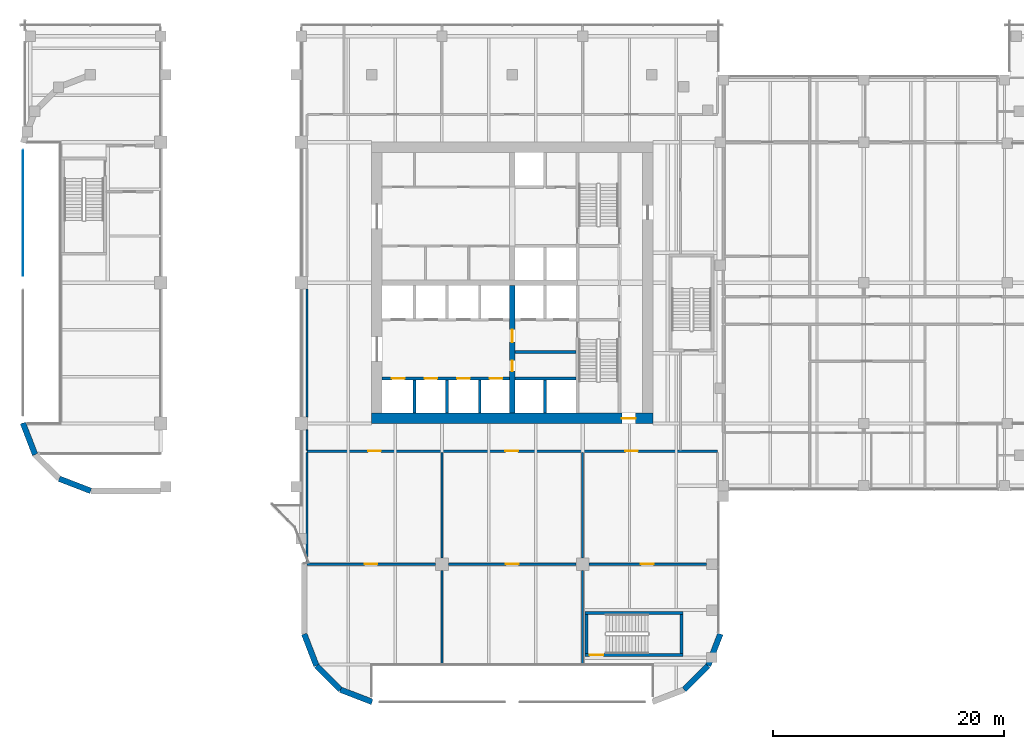
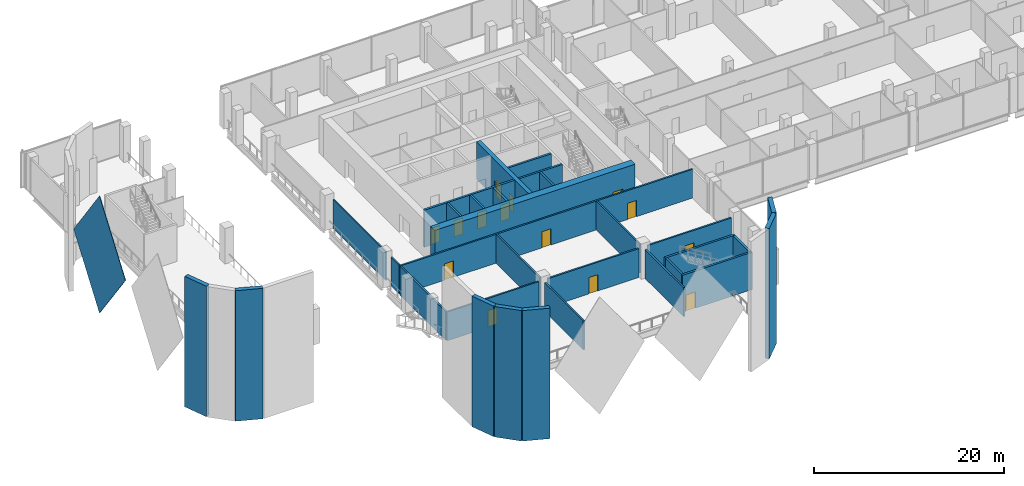
# One storey, part 22 of 33: 31 walls, 14 doors, 1 plate, 14 openings.
"""IFC4 building model written with IfcOpenShell, lengths in metres."""

from ifc_helpers import new_model, si_unit, direction, frame, frame_2d, origin, place, context, subcontext, project, spatial, rectangle, extrude, faceted_brep, source, transform, mapped, material, layer, layer_set, type_object, element, fill, save


model = new_model("IFC4")

# Units and contexts
model_context = context("Model", 3, precision=1e-05, world=origin(), true_north=direction((0.0, 1.0)))
body_context = subcontext(model_context, "Body", "Model", "MODEL_VIEW")
ifc_project = project(units=[si_unit("LENGTHUNIT", "METRE"), si_unit("AREAUNIT", "SQUARE_METRE"), si_unit("VOLUMEUNIT", "CUBIC_METRE"), si_unit("PLANEANGLEUNIT", "RADIAN"), si_unit("MASSUNIT", "GRAM", prefix="KILO")], contexts=[model_context])

# Site, building, storey
site_placement = place(None, origin())
site = spatial("IfcSite", under=ifc_project, at=site_placement, CompositionType="ELEMENT")
building_placement = place(site_placement, origin())
building = spatial("IfcBuilding", under=site, at=building_placement, Name="Tessera Gate Towers", CompositionType="ELEMENT")
storey_placement = place(building_placement, frame((0.0, 0.0, 7.199951171875)))
storey = spatial("IfcBuildingStorey", under=building, at=storey_placement, Name="L01", CompositionType="ELEMENT", Elevation=7.199951171875)

# Plate
ifc_material_1 = material(Name="Low-e laminated glass", Category="glass")
ifc_layer_1 = layer(ifc_material_1, 0.06005859375)
ifc_layer_set_1 = layer_set([ifc_layer_1], Name="PL2 rhombic pane")
plate_type = type_object("IfcPlateType", Name="PL2 rhombic pane", PredefinedType="SHEET", material=ifc_layer_set_1)
shared_shape_1 = source(origin(), body_context, "Body", "Brep", [
    faceted_brep([(5.440185546875, -0.030029296875, 0.0), (10.922119140625, -0.030029296875, 7.548828125), (10.922119140625, -0.030029296875, 7.54931640625), (5.440185546875, -0.030029296875, 15.09814453125), (0.0, -0.030029296875, 7.549072265625), (0.0, 0.030029296875, 7.549072265625), (5.440185546875, 0.030029296875, 15.09814453125), (10.922119140625, 0.030029296875, 7.54931640625), (10.922119140625, 0.030029296875, 7.548828125), (5.440185546875, 0.030029296875, 0.0)], [[[0, 1, 2, 3, 4]], [[5, 6, 7, 8, 9]], [[9, 8, 1, 0]], [[7, 6, 3, 2]], [[6, 5, 4, 3]], [[5, 9, 0, 4]], [[1, 8, 7, 2]]]),
])
plate_placement = place(storey_placement, frame((0.25, 48.14013671875, -6.34912109375), z_axis=(0.0, 0.0, 1.0), x_axis=(0.0, -1.0, 0.0)))
element("IfcPlate", 1, at=plate_placement, inside=storey, type_object=plate_type, Name="Glass pane T1 PL2-2117", PredefinedType="SHEET", context=body_context, shape_type="MappedRepresentation", body=[
    mapped(shared_shape_1, transform((0.0, 0.0, 0.0), scale=1.0)),
])

# Wall, openings, doors
ifc_material_2 = material(Name="Concrete C40/50", Category="concrete")
ifc_layer_2 = layer(ifc_material_2, 0.25)
ifc_layer_set_2 = layer_set([ifc_layer_2], Name="CORE ENCLOSURE WALL 250")
wall_type_1 = type_object("IfcWallType", Name="CORE ENCLOSURE WALL 250", PredefinedType="SOLIDWALL", material=ifc_layer_set_2)
wall_1_placement = place(storey_placement, frame((31.39990234375, 28.300048828125, 0.0), z_axis=(0.0, 0.0, 1.0), x_axis=(1.0, 0.0, 0.0)))
wall_1 = element("IfcWall", 2, at=wall_1_placement, inside=storey, type_object=wall_type_1, Name="L01 shaft and stair enclosure wall", PredefinedType="SOLIDWALL", context=body_context, shape_type="SweptSolid", body=[
    extrude(rectangle(XDim=11.050048828125, YDim=0.25, at=frame_2d((5.52490234375, 0.0))), origin(), (0.0, 0.0, 1.0), 4.800048828125),
])
shared_shape_2 = source(origin(), body_context, "Body", "SweptSolid", [
    extrude(rectangle(XDim=1.10009765625, YDim=2.10009765625, at=frame_2d((0.550048828125, 1.050048828125))), frame((0.0, 0.135009765625, 0.0), z_axis=(0.0, -1.0, 0.0), x_axis=(1.0, 0.0, 0.0)), (0.0, 0.0, 1.0), 0.27001953125),
])
opening_1_placement = place(wall_1_placement, frame((0.862548828125, 0.0, 0.0)))
opening_1 = element("IfcOpeningElement", 3, at=opening_1_placement, cuts=wall_1, Name="Opening LD-LR1", PredefinedType="OPENING", context=body_context, shape_type="MappedRepresentation", body=[
    mapped(shared_shape_2, transform((0.0, 0.0, 0.0), scale=1.0)),
])
opening_2_placement = place(wall_1_placement, frame((3.6875, 0.0, 0.0)))
opening_2 = element("IfcOpeningElement", 4, at=opening_2_placement, cuts=wall_1, Name="Opening LD-LR2", PredefinedType="OPENING", context=body_context, shape_type="MappedRepresentation", body=[
    mapped(shared_shape_2, transform((0.0, 0.0, 0.0), scale=1.0)),
])
opening_3_placement = place(wall_1_placement, frame((6.512451171875, 0.0, 0.0)))
opening_3 = element("IfcOpeningElement", 5, at=opening_3_placement, cuts=wall_1, Name="Opening LD-LR3", PredefinedType="OPENING", context=body_context, shape_type="MappedRepresentation", body=[
    mapped(shared_shape_2, transform((0.0, 0.0, 0.0), scale=1.0)),
])
opening_4_placement = place(wall_1_placement, frame((9.33740234375, 0.0, 0.0)))
opening_4 = element("IfcOpeningElement", 6, at=opening_4_placement, cuts=wall_1, Name="Opening LD-LR4", PredefinedType="OPENING", context=body_context, shape_type="MappedRepresentation", body=[
    mapped(shared_shape_2, transform((0.0, 0.0, 0.0), scale=1.0)),
])
ifc_material_3 = material(Name="Stainless steel", Category="steel")
door_type_1 = type_object("IfcDoorType", Name="CORE DOOR LD 1100x2100", OperationType="DOUBLE_DOOR_SLIDING", PredefinedType="DOOR", material=ifc_material_3)
shared_shape_3 = source(origin(), body_context, "Body", "SweptSolid", [
    extrude(rectangle(XDim=1.10009765625, YDim=2.10009765625, at=frame_2d((0.550048828125, 1.050048828125))), frame((0.0, 0.02490234375, 0.0), z_axis=(0.0, -1.0, 0.0), x_axis=(1.0, 0.0, 0.0)), (0.0, 0.0, 1.0), 0.050048828125),
])
door_1_placement = place(opening_1_placement, origin())
door_1 = element("IfcDoor", 7, at=door_1_placement, inside=storey, type_object=door_type_1, Name="Landing door LR1 L01", OperationType="DOUBLE_DOOR_SLIDING", OverallHeight=2.10009765625, OverallWidth=1.10009765625, PredefinedType="DOOR", context=body_context, shape_type="MappedRepresentation", body=[
    mapped(shared_shape_3, transform((0.0, 0.0, 0.0), scale=1.0)),
])
fill(opening_1, door_1)
door_2_placement = place(opening_2_placement, origin())
door_2 = element("IfcDoor", 8, at=door_2_placement, inside=storey, type_object=door_type_1, Name="Landing door LR2 L01", OperationType="DOUBLE_DOOR_SLIDING", OverallHeight=2.10009765625, OverallWidth=1.10009765625, PredefinedType="DOOR", context=body_context, shape_type="MappedRepresentation", body=[
    mapped(shared_shape_3, transform((0.0, 0.0, 0.0), scale=1.0)),
])
fill(opening_2, door_2)
door_3_placement = place(opening_3_placement, origin())
door_3 = element("IfcDoor", 9, at=door_3_placement, inside=storey, type_object=door_type_1, Name="Landing door LR3 L01", OperationType="DOUBLE_DOOR_SLIDING", OverallHeight=2.10009765625, OverallWidth=1.10009765625, PredefinedType="DOOR", context=body_context, shape_type="MappedRepresentation", body=[
    mapped(shared_shape_3, transform((0.0, 0.0, 0.0), scale=1.0)),
])
fill(opening_3, door_3)
door_4_placement = place(opening_4_placement, origin())
door_4 = element("IfcDoor", 10, at=door_4_placement, inside=storey, type_object=door_type_1, Name="Landing door LR4 L01", OperationType="DOUBLE_DOOR_SLIDING", OverallHeight=2.10009765625, OverallWidth=1.10009765625, PredefinedType="DOOR", context=body_context, shape_type="MappedRepresentation", body=[
    mapped(shared_shape_3, transform((0.0, 0.0, 0.0), scale=1.0)),
])
fill(opening_4, door_4)

# Walls
for number, where, z_axis, x_axis, name in (
    (11, (42.949951171875, 28.300048828125, 0.0), (0.0, 0.0, 1.0), (1.0, 0.0, 0.0), "L01 shaft and stair enclosure wall"),
    (12, (42.949951171875, 30.60009765625, 0.0), (0.0, 0.0, 1.0), (1.0, 0.0, 0.0), "L01 shaft and stair enclosure wall"),
):
    element("IfcWall", number, at=place(storey_placement, frame(where, z_axis=z_axis, x_axis=x_axis)), inside=storey, type_object=wall_type_1, Name=name, PredefinedType="SOLIDWALL", context=body_context, shape_type="SweptSolid", body=[
        extrude(rectangle(XDim=5.275146484375, YDim=0.25, at=frame_2d((2.6376953125, 0.0))), origin(), (0.0, 0.0, 1.0), 4.800048828125),
    ])
for number, where, z_axis, x_axis, name in (
    (13, (34.22509765625, 25.300048828125, 0.0), (0.0, 0.0, 1.0), (0.0, 1.0, 0.0), "L01 shaft and stair enclosure wall"),
    (14, (37.050048828125, 25.300048828125, 0.0), (0.0, 0.0, 1.0), (0.0, 1.0, 0.0), "L01 shaft and stair enclosure wall"),
    (15, (39.875, 25.300048828125, 0.0), (0.0, 0.0, 1.0), (0.0, 1.0, 0.0), "L01 shaft and stair enclosure wall"),
    (16, (45.52490234375, 25.300048828125, 0.0), (0.0, 0.0, 1.0), (0.0, 1.0, 0.0), "L01 shaft and stair enclosure wall"),
):
    element("IfcWall", number, at=place(storey_placement, frame(where, z_axis=z_axis, x_axis=x_axis)), inside=storey, type_object=wall_type_1, Name=name, PredefinedType="SOLIDWALL", context=body_context, shape_type="SweptSolid", body=[
        extrude(rectangle(XDim=2.875, YDim=0.25, at=frame_2d((1.4375, 0.0))), origin(), (0.0, 0.0, 1.0), 4.800048828125),
    ])

# Wall, opening, door
wall_2_placement = place(storey_placement, frame((57.5, 4.324951171875, 0.0), z_axis=(0.0, 0.0, 1.0), x_axis=(-1.0, 0.0, 0.0)))
wall_2 = element("IfcWall", 17, at=wall_2_placement, inside=storey, type_object=wall_type_1, Name="L01 ST4 enclosure wall", PredefinedType="SOLIDWALL", context=body_context, shape_type="SweptSolid", body=[
    extrude(rectangle(XDim=8.5, YDim=0.25, at=frame_2d((4.25, 0.0))), origin(), (0.0, 0.0, 1.0), 4.800048828125),
])
shared_shape_4 = source(origin(), body_context, "Body", "SweptSolid", [
    extrude(rectangle(XDim=1.199951171875, YDim=2.10009765625, at=frame_2d((0.60009765625, 1.050048828125))), frame((0.0, 0.135009765625, 0.0), z_axis=(0.0, -1.0, 0.0), x_axis=(1.0, 0.0, 0.0)), (0.0, 0.0, 1.0), 0.27001953125),
])
opening_5_placement = place(wall_2_placement, frame((6.89990234375, 0.0, 0.0)))
opening_5 = element("IfcOpeningElement", 18, at=opening_5_placement, cuts=wall_2, Name="Opening SD-ST4-1", PredefinedType="OPENING", context=body_context, shape_type="MappedRepresentation", body=[
    mapped(shared_shape_4, transform((0.0, 0.0, 0.0), scale=1.0)),
])
ifc_material_4 = material(Name="Hollow steel fire door", Category="steel")
door_type_2 = type_object("IfcDoorType", Name="CORE DOOR SD 1200x2100", OperationType="NOTDEFINED", PredefinedType="DOOR", material=ifc_material_4)
shared_shape_5 = source(origin(), body_context, "Body", "SweptSolid", [
    extrude(rectangle(XDim=1.199951171875, YDim=2.10009765625, at=frame_2d((0.60009765625, 1.050048828125))), frame((0.0, 0.02490234375, 0.0), z_axis=(0.0, -1.0, 0.0), x_axis=(1.0, 0.0, 0.0)), (0.0, 0.0, 1.0), 0.050048828125),
])
door_5_placement = place(opening_5_placement, origin())
door_5 = element("IfcDoor", 19, at=door_5_placement, inside=storey, type_object=door_type_2, Name="Stair door", OperationType="SINGLE_SWING_RIGHT", OverallHeight=2.10009765625, OverallWidth=1.199951171875, PredefinedType="DOOR", context=body_context, shape_type="MappedRepresentation", body=[
    mapped(shared_shape_5, transform((0.0, 0.0, 0.0), scale=1.0)),
])
fill(opening_5, door_5)

# Walls
wall_3_placement = place(storey_placement, frame((49.125, 4.449951171875, 0.0), z_axis=(0.0, 0.0, 1.0), x_axis=(0.0, 1.0, 0.0)))
element("IfcWall", 20, at=wall_3_placement, inside=storey, type_object=wall_type_1, Name="L01 ST4 enclosure wall", PredefinedType="SOLIDWALL", context=body_context, shape_type="SweptSolid", body=[
    extrude(rectangle(XDim=3.400146484375, YDim=0.25, at=frame_2d((1.7001953125, 0.0))), origin(), (0.0, 0.0, 1.0), 4.800048828125),
])
wall_4_placement = place(storey_placement, frame((49.0, 7.97509765625, 0.0), z_axis=(0.0, 0.0, 1.0), x_axis=(1.0, 0.0, 0.0)))
element("IfcWall", 21, at=wall_4_placement, inside=storey, type_object=wall_type_1, Name="L01 ST4 enclosure wall", PredefinedType="SOLIDWALL", context=body_context, shape_type="SweptSolid", body=[
    extrude(rectangle(XDim=8.5, YDim=0.25, at=frame_2d((4.25, 0.0))), origin(), (0.0, 0.0, 1.0), 4.800048828125),
])
wall_5_placement = place(storey_placement, frame((57.375, 7.85009765625, 0.0), z_axis=(0.0, 0.0, 1.0), x_axis=(0.0, -1.0, 0.0)))
element("IfcWall", 22, at=wall_5_placement, inside=storey, type_object=wall_type_1, Name="L01 ST4 enclosure wall", PredefinedType="SOLIDWALL", context=body_context, shape_type="SweptSolid", body=[
    extrude(rectangle(XDim=3.400146484375, YDim=0.25, at=frame_2d((1.7001953125, 0.0))), origin(), (0.0, 0.0, 1.0), 4.800048828125),
])

# Wall, opening, door
ifc_material_5 = material(Name="Concrete C70/85", Category="concrete")
ifc_layer_3 = layer(ifc_material_5, 0.89990234375)
ifc_layer_set_3 = layer_set([ifc_layer_3], Name="CORE SHEAR WALL 900 C70/85")
wall_type_2 = type_object("IfcWallType", Name="CORE SHEAR WALL 900 C70/85", PredefinedType="SHEAR", material=ifc_layer_set_3)
wall_6_placement = place(storey_placement, frame((54.89990234375, 24.85009765625, 0.0), z_axis=(0.0, 0.0, 1.0), x_axis=(-1.0, 0.0, 0.0)))
wall_6 = element("IfcWall", 23, at=wall_6_placement, inside=storey, type_object=wall_type_2, Name="Core wall S L01", PredefinedType="SHEAR", context=body_context, shape_type="SweptSolid", body=[
    extrude(rectangle(XDim=24.39990234375, YDim=0.89990234375, at=frame_2d((12.199951171875, 0.0))), origin(), (0.0, 0.0, 1.0), 4.800048828125),
])
shared_shape_6 = source(origin(), body_context, "Body", "SweptSolid", [
    extrude(rectangle(XDim=1.199951171875, YDim=2.10009765625, at=frame_2d((0.60009765625, 1.050048828125))), frame((0.0, 0.4599609375, 0.0), z_axis=(0.0, -1.0, 0.0), x_axis=(1.0, 0.0, 0.0)), (0.0, 0.0, 1.0), 0.919921875),
])
opening_6_placement = place(wall_6_placement, frame((1.5, 0.0, 0.0)))
opening_6 = element("IfcOpeningElement", 24, at=opening_6_placement, cuts=wall_6, Name="Opening ED-T1-03-01", PredefinedType="OPENING", context=body_context, shape_type="MappedRepresentation", body=[
    mapped(shared_shape_6, transform((0.0, 0.0, 0.0), scale=1.0)),
])
ifc_material_6 = material(Name="Hollow steel fire door", Category="steel")
door_type_3 = type_object("IfcDoorType", Name="CORE DOOR ED 1200x2100", OperationType="NOTDEFINED", PredefinedType="DOOR", material=ifc_material_6)
door_6_placement = place(opening_6_placement, origin())
door_6 = element("IfcDoor", 25, at=door_6_placement, inside=storey, type_object=door_type_3, Name="Core exit door", OperationType="SINGLE_SWING_LEFT", OverallHeight=2.10009765625, OverallWidth=1.199951171875, PredefinedType="DOOR", context=body_context, shape_type="MappedRepresentation", body=[
    mapped(shared_shape_5, transform((0.0, 0.0, 0.0), scale=1.0)),
])
fill(opening_6, door_6)

# Wall, openings, doors
ifc_material_7 = material(Name="Concrete C70/85", Category="concrete")
ifc_layer_4 = layer(ifc_material_7, 0.5)
ifc_layer_set_4 = layer_set([ifc_layer_4], Name="CORE SPINE WALL 500 C70/85")
wall_type_3 = type_object("IfcWallType", Name="CORE SPINE WALL 500 C70/85", PredefinedType="SHEAR", material=ifc_layer_set_4)
wall_7_placement = place(storey_placement, frame((42.699951171875, 36.35009765625, 0.0), z_axis=(0.0, 0.0, 1.0), x_axis=(0.0, -1.0, 0.0)))
wall_7 = element("IfcWall", 26, at=wall_7_placement, inside=storey, type_object=wall_type_3, Name="Core wall spine L01", PredefinedType="SHEAR", context=body_context, shape_type="SweptSolid", body=[
    extrude(rectangle(XDim=11.050048828125, YDim=0.5, at=frame_2d((5.52490234375, 0.0))), origin(), (0.0, 0.0, 1.0), 4.800048828125),
])
shared_shape_7 = source(origin(), body_context, "Body", "SweptSolid", [
    extrude(rectangle(XDim=0.89990234375, YDim=2.10009765625, at=frame_2d((0.449951171875, 1.050048828125))), frame((0.0, 0.260009765625, 0.0), z_axis=(0.0, -1.0, 0.0), x_axis=(1.0, 0.0, 0.0)), (0.0, 0.0, 1.0), 0.52001953125),
])
opening_7_placement = place(wall_7_placement, frame((6.5, 0.0, 0.0)))
opening_7 = element("IfcOpeningElement", 27, at=opening_7_placement, cuts=wall_7, Name="Opening RD-T1-03-05", PredefinedType="OPENING", context=body_context, shape_type="MappedRepresentation", body=[
    mapped(shared_shape_7, transform((0.0, 0.0, 0.0), scale=1.0)),
])
shared_shape_8 = source(origin(), body_context, "Body", "SweptSolid", [
    extrude(rectangle(XDim=1.10009765625, YDim=2.10009765625, at=frame_2d((0.550048828125, 1.050048828125))), frame((0.0, 0.260009765625, 0.0), z_axis=(0.0, -1.0, 0.0), x_axis=(1.0, 0.0, 0.0)), (0.0, 0.0, 1.0), 0.52001953125),
])
opening_8_placement = place(wall_7_placement, frame((3.800048828125, 0.0, 0.0)))
opening_8 = element("IfcOpeningElement", 28, at=opening_8_placement, cuts=wall_7, Name="Opening FD-T1-03-06", PredefinedType="OPENING", context=body_context, shape_type="MappedRepresentation", body=[
    mapped(shared_shape_8, transform((0.0, 0.0, 0.0), scale=1.0)),
])
ifc_material_8 = material(Name="Hollow steel fire door", Category="steel")
door_type_4 = type_object("IfcDoorType", Name="CORE DOOR RD 900x2100", OperationType="NOTDEFINED", PredefinedType="DOOR", material=ifc_material_8)
shared_shape_9 = source(origin(), body_context, "Body", "SweptSolid", [
    extrude(rectangle(XDim=0.89990234375, YDim=2.10009765625, at=frame_2d((0.449951171875, 1.050048828125))), frame((0.0, 0.02490234375, 0.0), z_axis=(0.0, -1.0, 0.0), x_axis=(1.0, 0.0, 0.0)), (0.0, 0.0, 1.0), 0.050048828125),
])
door_7_placement = place(opening_7_placement, origin())
door_7 = element("IfcDoor", 29, at=door_7_placement, inside=storey, type_object=door_type_4, Name="Core room door", OperationType="SINGLE_SWING_RIGHT", OverallHeight=2.10009765625, OverallWidth=0.89990234375, PredefinedType="DOOR", context=body_context, shape_type="MappedRepresentation", body=[
    mapped(shared_shape_9, transform((0.0, 0.0, 0.0), scale=1.0)),
])
fill(opening_7, door_7)
ifc_material_9 = material(Name="Hollow steel fire door", Category="steel")
door_type_5 = type_object("IfcDoorType", Name="CORE DOOR FD 1100x2100", OperationType="NOTDEFINED", PredefinedType="DOOR", material=ifc_material_9)
door_8_placement = place(opening_8_placement, origin())
door_8 = element("IfcDoor", 30, at=door_8_placement, inside=storey, type_object=door_type_5, Name="Fire-fighting lobby door", OperationType="SINGLE_SWING_LEFT", OverallHeight=2.10009765625, OverallWidth=1.10009765625, PredefinedType="DOOR", context=body_context, shape_type="MappedRepresentation", body=[
    mapped(shared_shape_3, transform((0.0, 0.0, 0.0), scale=1.0)),
])
fill(opening_8, door_8)

# Walls
ifc_material_10 = material(Name="Gypsum board on steel studs, mineral wool", Category="steel")
ifc_layer_5 = layer(ifc_material_10, 0.14990234375)
ifc_layer_set_5 = layer_set([ifc_layer_5], Name="CORRIDOR WALL 150")
wall_type_4 = type_object("IfcWallType", Name="CORRIDOR WALL 150", PredefinedType="PARTITIONING", material=ifc_layer_set_5)
wall_8_placement = place(storey_placement, frame((24.89990234375, 22.10107421875, 0.0), z_axis=(0.0, 0.0, 1.0), x_axis=(0.0, 1.0, 0.0)))
element("IfcWall", 31, at=wall_8_placement, inside=storey, type_object=wall_type_4, Name="PODIUM-L01-PW-029", PredefinedType="PARTITIONING", context=body_context, shape_type="SweptSolid", body=[
    extrude(rectangle(XDim=1.748046875, YDim=0.14990234375, at=frame_2d((0.8740234375, 0.0))), origin(), (0.0, 0.0, 1.0), 3.715087890625),
])
wall_9_placement = place(storey_placement, frame((24.89990234375, 24.950927734375, 0.0), z_axis=(0.0, 0.0, 1.0), x_axis=(0.0, 1.0, 0.0)))
element("IfcWall", 32, at=wall_9_placement, inside=storey, type_object=wall_type_4, Name="PODIUM-L01-PW-051", PredefinedType="PARTITIONING", context=body_context, shape_type="SweptSolid", body=[
    extrude(rectangle(XDim=11.09814453125, YDim=0.14990234375, at=frame_2d((5.549072265625, 0.0))), origin(), (0.0, 0.0, 1.0), 3.715087890625),
])
ifc_material_11 = material(Name="Concrete masonry unit", Category="masonry")
ifc_layer_6 = layer(ifc_material_11, 0.199951171875)
ifc_layer_set_6 = layer_set([ifc_layer_6], Name="PLANT WALL 200")
wall_type_5 = type_object("IfcWallType", Name="PLANT WALL 200", PredefinedType="PARTITIONING", material=ifc_layer_set_6)
for number, where, z_axis, x_axis, name in (
    (33, (36.60009765625, 3.5, 0.0), (0.0, 0.0, 1.0), (0.0, 1.0, 0.0), "PODIUM-L01-PW-001"),
    (34, (48.800048828125, 3.5, 0.0), (0.0, 0.0, 1.0), (0.0, 1.0, 0.0), "PODIUM-L01-PW-002"),
):
    element("IfcWall", number, at=place(storey_placement, frame(where, z_axis=z_axis, x_axis=x_axis)), inside=storey, type_object=wall_type_5, Name=name, PredefinedType="PARTITIONING", context=body_context, shape_type="SweptSolid", body=[
        extrude(rectangle(XDim=8.14892578125, YDim=0.199951171875, at=frame_2d((4.074462890625, 0.0))), origin(), (0.0, 0.0, 1.0), 3.715087890625),
    ])

# Wall, opening, door
wall_10_placement = place(storey_placement, frame((36.049072265625, 12.199951171875, 0.0), z_axis=(0.0, 0.0, 1.0), x_axis=(-1.0, 0.0, 0.0)))
wall_10 = element("IfcWall", 35, at=wall_10_placement, inside=storey, type_object=wall_type_5, Name="PODIUM-L01-PW-003", PredefinedType="PARTITIONING", context=body_context, shape_type="SweptSolid", body=[
    extrude(rectangle(XDim=11.149169921875, YDim=0.199951171875, at=frame_2d((5.57470703125, 0.0))), origin(), (0.0, 0.0, 1.0), 3.715087890625),
])
shared_shape_10 = source(origin(), body_context, "Body", "SweptSolid", [
    extrude(rectangle(XDim=1.10009765625, YDim=2.10009765625, at=frame_2d((0.550048828125, 1.050048828125))), frame((0.0, 0.10986328125, 0.0), z_axis=(0.0, -1.0, 0.0), x_axis=(1.0, 0.0, 0.0)), (0.0, 0.0, 1.0), 0.219970703125),
])
opening_9_placement = place(wall_10_placement, frame((5.049072265625, 0.0, 0.0)))
opening_9 = element("IfcOpeningElement", 36, at=opening_9_placement, cuts=wall_10, Name="Opening D5110FD90-P02-05", PredefinedType="OPENING", context=body_context, shape_type="MappedRepresentation", body=[
    mapped(shared_shape_10, transform((0.0, 0.0, 0.0), scale=1.0)),
])
ifc_material_12 = material(Name="Timber door leaf in steel frame", Category="steel")
door_type_6 = type_object("IfcDoorType", Name="PLANT DOOR 1100 FD90", OperationType="NOTDEFINED", PredefinedType="DOOR", material=ifc_material_12)
door_9_placement = place(opening_9_placement, origin())
door_9 = element("IfcDoor", 37, at=door_9_placement, inside=storey, type_object=door_type_6, Name="PODIUM-L01-PD-050", OperationType="SINGLE_SWING_RIGHT", OverallHeight=2.10009765625, OverallWidth=1.10009765625, PredefinedType="DOOR", context=body_context, shape_type="MappedRepresentation", body=[
    mapped(shared_shape_3, transform((0.0, 0.0, 0.0), scale=1.0)),
])
fill(opening_9, door_9)

wall_11_placement = place(storey_placement, frame((48.2490234375, 12.199951171875, 0.0), z_axis=(0.0, 0.0, 1.0), x_axis=(-1.0, 0.0, 0.0)))
wall_11 = element("IfcWall", 38, at=wall_11_placement, inside=storey, type_object=wall_type_5, Name="PODIUM-L01-PW-004", PredefinedType="PARTITIONING", context=body_context, shape_type="SweptSolid", body=[
    extrude(rectangle(XDim=11.09814453125, YDim=0.199951171875, at=frame_2d((5.549072265625, 0.0))), origin(), (0.0, 0.0, 1.0), 3.715087890625),
])
opening_10_placement = place(wall_11_placement, frame((4.998046875, 0.0, 0.0)))
opening_10 = element("IfcOpeningElement", 39, at=opening_10_placement, cuts=wall_11, Name="Opening D5110FD90-P02-04", PredefinedType="OPENING", context=body_context, shape_type="MappedRepresentation", body=[
    mapped(shared_shape_10, transform((0.0, 0.0, 0.0), scale=1.0)),
])
door_10_placement = place(opening_10_placement, origin())
door_10 = element("IfcDoor", 40, at=door_10_placement, inside=storey, type_object=door_type_6, Name="PODIUM-L01-PD-049", OperationType="SINGLE_SWING_RIGHT", OverallHeight=2.10009765625, OverallWidth=1.10009765625, PredefinedType="DOOR", context=body_context, shape_type="MappedRepresentation", body=[
    mapped(shared_shape_3, transform((0.0, 0.0, 0.0), scale=1.0)),
])
fill(opening_10, door_10)

wall_12_placement = place(storey_placement, frame((59.549072265625, 12.199951171875, 0.0), z_axis=(0.0, 0.0, 1.0), x_axis=(-1.0, 0.0, 0.0)))
wall_12 = element("IfcWall", 41, at=wall_12_placement, inside=storey, type_object=wall_type_5, Name="PODIUM-L01-PW-005", PredefinedType="PARTITIONING", context=body_context, shape_type="SweptSolid", body=[
    extrude(rectangle(XDim=10.197998046875, YDim=0.199951171875, at=frame_2d((5.09912109375, 0.0))), origin(), (0.0, 0.0, 1.0), 3.715087890625),
])
opening_11_placement = place(wall_12_placement, frame((4.597900390625, 0.0, 0.0)))
opening_11 = element("IfcOpeningElement", 42, at=opening_11_placement, cuts=wall_12, Name="Opening D5110FD90-P02-03", PredefinedType="OPENING", context=body_context, shape_type="MappedRepresentation", body=[
    mapped(shared_shape_10, transform((0.0, 0.0, 0.0), scale=1.0)),
])
door_11_placement = place(opening_11_placement, origin())
door_11 = element("IfcDoor", 43, at=door_11_placement, inside=storey, type_object=door_type_6, Name="PODIUM-L01-PD-048", OperationType="SINGLE_SWING_RIGHT", OverallHeight=2.10009765625, OverallWidth=1.10009765625, PredefinedType="DOOR", context=body_context, shape_type="MappedRepresentation", body=[
    mapped(shared_shape_3, transform((0.0, 0.0, 0.0), scale=1.0)),
])
fill(opening_11, door_11)

# Walls
wall_13_placement = place(storey_placement, frame((24.89990234375, 12.301025390625, 0.0), z_axis=(0.0, 0.0, 1.0), x_axis=(0.0, 1.0, 0.0)))
element("IfcWall", 44, at=wall_13_placement, inside=storey, type_object=wall_type_5, Name="PODIUM-L01-PW-006", PredefinedType="PARTITIONING", context=body_context, shape_type="SweptSolid", body=[
    extrude(rectangle(XDim=9.597900390625, YDim=0.199951171875, at=frame_2d((4.798828125, 0.0))), origin(), (0.0, 0.0, 1.0), 3.715087890625),
])
for number, where, z_axis, x_axis, name in (
    (45, (36.60009765625, 12.7509765625, 0.0), (0.0, 0.0, 1.0), (0.0, 1.0, 0.0), "PODIUM-L01-PW-007"),
    (46, (48.800048828125, 12.7509765625, 0.0), (0.0, 0.0, 1.0), (0.0, 1.0, 0.0), "PODIUM-L01-PW-008"),
):
    element("IfcWall", number, at=place(storey_placement, frame(where, z_axis=z_axis, x_axis=x_axis)), inside=storey, type_object=wall_type_5, Name=name, PredefinedType="PARTITIONING", context=body_context, shape_type="SweptSolid", body=[
        extrude(rectangle(XDim=9.14794921875, YDim=0.199951171875, at=frame_2d((4.573974609375, 0.0))), origin(), (0.0, 0.0, 1.0), 3.715087890625),
    ])

# Wall, openings, doors
wall_14_placement = place(storey_placement, frame((60.5, 22.0, 0.0), z_axis=(0.0, 0.0, 1.0), x_axis=(-1.0, 0.0, 0.0)))
wall_14 = element("IfcWall", 47, at=wall_14_placement, inside=storey, type_object=wall_type_5, Name="PODIUM-L01-PW-028", PredefinedType="PARTITIONING", context=body_context, shape_type="SweptSolid", body=[
    extrude(rectangle(XDim=35.60009765625, YDim=0.199951171875, at=frame_2d((17.800048828125, 0.0))), origin(), (0.0, 0.0, 1.0), 3.715087890625),
])
opening_12_placement = place(wall_14_placement, frame((6.89892578125, 0.0, 0.0)))
opening_12 = element("IfcOpeningElement", 48, at=opening_12_placement, cuts=wall_14, Name="Opening D5110FD90-P02-01", PredefinedType="OPENING", context=body_context, shape_type="MappedRepresentation", body=[
    mapped(shared_shape_10, transform((0.0, 0.0, 0.0), scale=1.0)),
])
opening_13_placement = place(wall_14_placement, frame((29.199951171875, 0.0, 0.0)))
opening_13 = element("IfcOpeningElement", 49, at=opening_13_placement, cuts=wall_14, Name="Opening D5110FD90-P02-06", PredefinedType="OPENING", context=body_context, shape_type="MappedRepresentation", body=[
    mapped(shared_shape_10, transform((0.0, 0.0, 0.0), scale=1.0)),
])
opening_14_placement = place(wall_14_placement, frame((17.300048828125, 0.0, 0.0)))
opening_14 = element("IfcOpeningElement", 50, at=opening_14_placement, cuts=wall_14, Name="Opening D5110FD90-P02-07", PredefinedType="OPENING", context=body_context, shape_type="MappedRepresentation", body=[
    mapped(shared_shape_10, transform((0.0, 0.0, 0.0), scale=1.0)),
])
door_12_placement = place(opening_12_placement, origin())
door_12 = element("IfcDoor", 51, at=door_12_placement, inside=storey, type_object=door_type_6, Name="PODIUM-L01-PD-034", OperationType="SINGLE_SWING_RIGHT", OverallHeight=2.10009765625, OverallWidth=1.10009765625, PredefinedType="DOOR", context=body_context, shape_type="MappedRepresentation", body=[
    mapped(shared_shape_3, transform((0.0, 0.0, 0.0), scale=1.0)),
])
fill(opening_12, door_12)
door_13_placement = place(opening_13_placement, origin())
door_13 = element("IfcDoor", 52, at=door_13_placement, inside=storey, type_object=door_type_6, Name="PODIUM-L01-PD-051", OperationType="SINGLE_SWING_RIGHT", OverallHeight=2.10009765625, OverallWidth=1.10009765625, PredefinedType="DOOR", context=body_context, shape_type="MappedRepresentation", body=[
    mapped(shared_shape_3, transform((0.0, 0.0, 0.0), scale=1.0)),
])
fill(opening_13, door_13)
door_14_placement = place(opening_14_placement, origin())
door_14 = element("IfcDoor", 53, at=door_14_placement, inside=storey, type_object=door_type_6, Name="PODIUM-L01-PD-052", OperationType="SINGLE_SWING_RIGHT", OverallHeight=2.10009765625, OverallWidth=1.10009765625, PredefinedType="DOOR", context=body_context, shape_type="MappedRepresentation", body=[
    mapped(shared_shape_3, transform((0.0, 0.0, 0.0), scale=1.0)),
])
fill(opening_14, door_14)

# Walls
ifc_material_13 = material(Name="Precast concrete C60/75 white", Category="concrete")
ifc_layer_7 = layer(ifc_material_13, 0.5)
ifc_layer_set_7 = layer_set([ifc_layer_7], Name="TB3 foot corner pier")
wall_type_6 = type_object("IfcWallType", Name="TB3 foot corner pier", PredefinedType="SOLIDWALL", material=ifc_layer_set_7)
shared_shape_11 = source(origin(), body_context, "Body", "Brep", [
    faceted_brep([(0.0, -0.25, 0.0), (2.944091796875, -0.25, 0.0), (2.944091796875, -0.25, 16.800048828125), (0.0, -0.25, 16.800048828125), (0.052978515625, 0.25, 16.800048828125), (2.89111328125, 0.25, 16.800048828125), (2.89111328125, 0.25, 0.0), (0.052978515625, 0.25, 0.0), (2.944091796875, 0.000244140625, 0.0), (0.0, 0.0, 0.0), (2.944091796875, 0.000244140625, 16.800048828125), (0.0, 0.0, 16.800048828125)], [[[0, 1, 2, 3]], [[4, 5, 6, 7]], [[7, 6, 8, 1, 0, 9]], [[10, 2, 1, 8]], [[5, 4, 11, 3, 2, 10]], [[9, 0, 3, 11]], [[7, 9, 11, 4]], [[8, 6, 5, 10]]]),
])
for number, where, z_axis, x_axis, name in (
    (54, (57.606201171875, 1.31201171875, -7.199951171875), (0.0, 0.0, 1.0), (0.707106781187, 0.707106781187, 0.0), "Foot corner pier T1 TB3-0004"),
    (55, (25.7119140625, 3.393798828125, -7.199951171875), (0.0, 0.0, 1.0), (0.707106781187, -0.707106781187, 0.0), "Foot corner pier T1 TB3-0013"),
):
    element("IfcWall", number, at=place(storey_placement, frame(where, z_axis=z_axis, x_axis=x_axis)), inside=storey, type_object=wall_type_6, Name=name, PredefinedType="SOLIDWALL", context=body_context, shape_type="MappedRepresentation", body=[
        mapped(shared_shape_11, transform((0.0, 0.0, 0.0), scale=1.0)),
    ])
shared_shape_12 = source(origin(), body_context, "Body", "Brep", [
    faceted_brep([(0.0, -0.25, 0.0), (2.950439453125, -0.25, 0.0), (2.950439453125, -0.25, 16.800048828125), (0.0, -0.25, 16.800048828125), (0.052978515625, 0.25, 16.800048828125), (2.904052734375, 0.25, 16.800048828125), (2.904052734375, 0.25, 0.0), (0.052978515625, 0.25, 0.0), (2.950439453125, 0.00048828125, 0.0), (0.0, 0.0, 0.0), (2.950439453125, 0.00048828125, 16.800048828125), (0.0, 0.0, 16.800048828125)], [[[0, 1, 2, 3]], [[4, 5, 6, 7]], [[7, 6, 8, 1, 0, 9]], [[10, 2, 1, 8]], [[5, 4, 11, 3, 2, 10]], [[9, 0, 3, 11]], [[7, 9, 11, 4]], [[8, 6, 5, 10]]]),
])
for number, where, z_axis, x_axis, name in (
    (56, (59.68798828125, 3.393798828125, -7.199951171875), (0.0, 0.0, 1.0), (0.359949242603, 0.932971887438, 0.0), "Foot corner pier T1 TB3-0005"),
    (57, (3.393798828125, 19.61181640625, -7.199951171875), (0.0, 0.0, 1.0), (0.932999673775, -0.359877213415, 0.0), "Foot corner pier T1 TB3-0011"),
    (58, (27.793701171875, 1.31201171875, -7.199951171875), (0.0, 0.0, 1.0), (0.932971887438, -0.359949242603, 0.0), "Foot corner pier T1 TB3-0014"),
):
    element("IfcWall", number, at=place(storey_placement, frame(where, z_axis=z_axis, x_axis=x_axis)), inside=storey, type_object=wall_type_6, Name=name, PredefinedType="SOLIDWALL", context=body_context, shape_type="MappedRepresentation", body=[
        mapped(shared_shape_12, transform((0.0, 0.0, 0.0), scale=1.0)),
    ])
shared_shape_13 = source(origin(), body_context, "Body", "Brep", [
    faceted_brep([(0.0, -0.25, 0.0), (2.950439453125, -0.25, 0.0), (2.950439453125, -0.25, 16.800048828125), (0.0, -0.25, 16.800048828125), (0.046630859375, 0.25, 16.800048828125), (2.897705078125, 0.25, 16.800048828125), (2.897705078125, 0.25, 0.0), (0.046630859375, 0.25, 0.0), (2.950439453125, 0.00048828125, 0.0), (0.0, 0.0, 0.0), (2.950439453125, 0.00048828125, 16.800048828125), (0.0, 0.0, 16.800048828125)], [[[0, 1, 2, 3]], [[4, 5, 6, 7]], [[7, 6, 8, 1, 0, 9]], [[10, 2, 1, 8]], [[5, 4, 11, 3, 2, 10]], [[9, 0, 3, 11]], [[7, 9, 11, 4]], [[8, 6, 5, 10]]]),
])
for number, where, z_axis, x_axis, name in (
    (59, (0.25, 24.446533203125, -7.199951171875), (0.0, 0.0, 1.0), (0.359877213415, -0.932999673775, 0.0), "Foot corner pier T1 TB3-0009"),
    (60, (24.64990234375, 6.146484375, -7.199951171875), (0.0, 0.0, 1.0), (0.359949242603, -0.932971887438, 0.0), "Foot corner pier T1 TB3-0012"),
):
    element("IfcWall", number, at=place(storey_placement, frame(where, z_axis=z_axis, x_axis=x_axis)), inside=storey, type_object=wall_type_6, Name=name, PredefinedType="SOLIDWALL", context=body_context, shape_type="MappedRepresentation", body=[
        mapped(shared_shape_13, transform((0.0, 0.0, 0.0), scale=1.0)),
    ])

save(model, "model.ifc")
